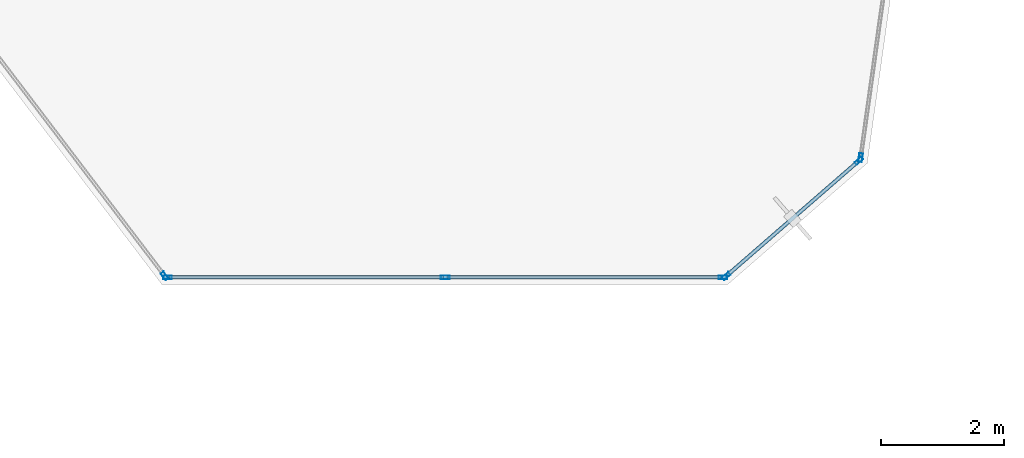
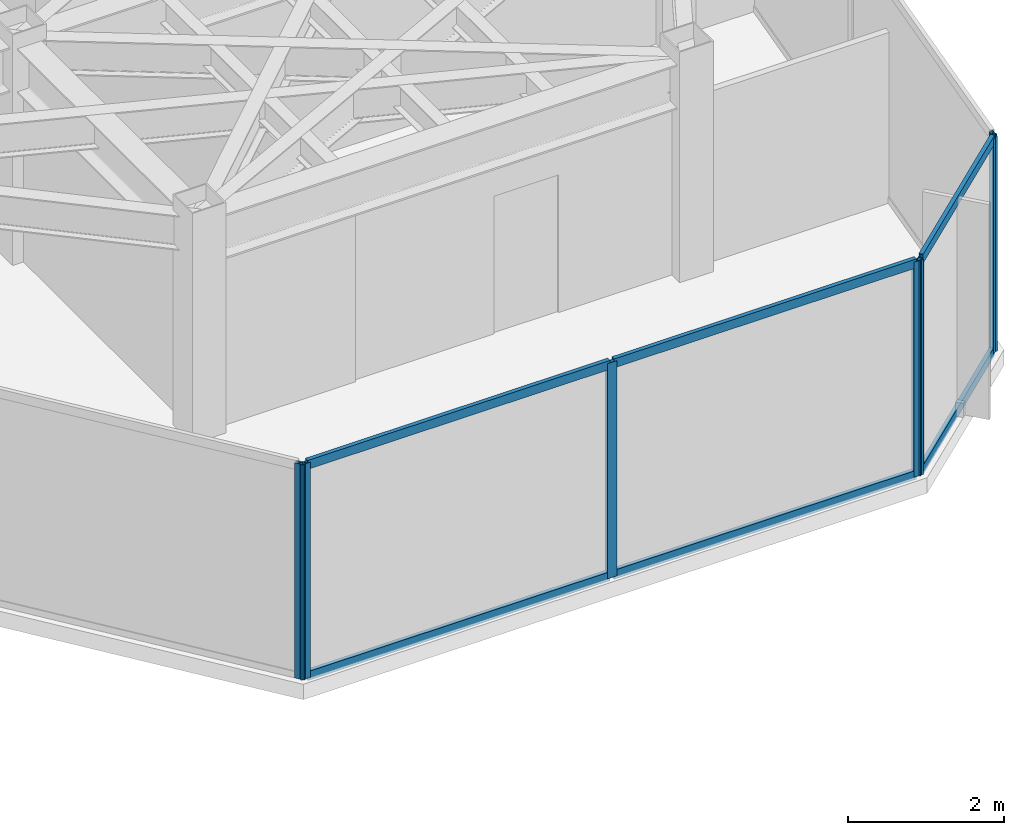
# One storey, part 9 of 21: 13 members, 4 elements without a shape of their own.
"""IFC4 building model written with IfcOpenShell, lengths in metres."""

from ifc_helpers import new_model, si_unit, direction, frame, origin, origin_2d, place, context, subcontext, project, spatial, hollow_rectangle, extrude, material, layer, layer_set, material_profile, profile_set, type_object, element, aggregate, save


model = new_model("IFC4")

# Units and contexts
model_context = context("Model", 3, precision=1e-05, world=origin(), true_north=direction((0.0, 1.0)))
body_context = subcontext(model_context, "Body", "Model", "MODEL_VIEW")
ifc_project = project(units=[si_unit("LENGTHUNIT", "METRE"), si_unit("AREAUNIT", "SQUARE_METRE"), si_unit("VOLUMEUNIT", "CUBIC_METRE"), si_unit("PLANEANGLEUNIT", "RADIAN"), si_unit("MASSUNIT", "GRAM", prefix="KILO")], contexts=[model_context])

# Site, building, storey
site_placement = place(None, origin())
site = spatial("IfcSite", under=ifc_project, at=site_placement, CompositionType="ELEMENT")
building_placement = place(site_placement, origin())
building = spatial("IfcBuilding", under=site, at=building_placement, Name="Kravanh Interchange Tower", CompositionType="ELEMENT")
storey_placement = place(building_placement, frame((0.0, 0.0, 231.0)))
storey = spatial("IfcBuildingStorey", under=building, at=storey_placement, Name="L55", CompositionType="ELEMENT", Elevation=231.0)

# Curtain wall, member
ifc_material_1 = material(Name="Anodised Bronze Aluminium", Category="aluminium")
ifc_layer = layer(ifc_material_1, 0.179931640625)
ifc_layer_set = layer_set([ifc_layer], Name="Unitised Curtain Wall System CW-HTL Luxury Hotel")
curtain_wall_type = type_object("IfcCurtainWallType", Name="Unitised Curtain Wall System CW-HTL Luxury Hotel", PredefinedType="NOTDEFINED", material=ifc_layer_set)
curtain_wall_1_placement = place(storey_placement, origin())
curtain_wall_1 = element("IfcCurtainWall", 1, at=curtain_wall_1_placement, inside=storey, type_object=curtain_wall_type, Name="L55 Unitised Curtain Wall CW-L55-01", PredefinedType="NOTDEFINED")
ifc_material_2 = material(Name="Anodised Bronze Aluminium", Category="aluminium")
ifc_material_profile_1 = material_profile(ifc_material_2, hollow_rectangle(XDim=0.06005859375, YDim=0.139892578125, WallThickness=0.00390625, at=origin_2d()), Name="ALU60X140X4")
ifc_profile_set_1 = profile_set([ifc_material_profile_1], Name="Anodised Bronze Aluminium")
member_type_1 = type_object("IfcMemberType", Name="Curtain Wall Mullion ALU60X140X4 Bronze", PredefinedType="MULLION", material=ifc_profile_set_1)
member_1_placement = place(storey_placement, frame((65.686767578125, 18.67138671875, 0.0), z_axis=(0.0, 0.0, 1.0), x_axis=(0.990267623707, -0.13917626751, 0.0)))
member_1 = element("IfcMember", 2, at=member_1_placement, type_object=member_type_1, Name="CW-HTL mullion 5", PredefinedType="MULLION", context=body_context, shape_type="SweptSolid", body=[
    extrude(hollow_rectangle(XDim=0.06005859375, YDim=0.139892578125, WallThickness=0.00390625, at=origin_2d()), origin(), (0.0, 0.0, 1.0), 3.360107421875),
])
aggregate(curtain_wall_1, [member_1])

# Curtain wall, members
curtain_wall_2_placement = place(storey_placement, origin())
curtain_wall_2 = element("IfcCurtainWall", 3, at=curtain_wall_2_placement, inside=storey, type_object=curtain_wall_type, Name="L55 Unitised Curtain Wall CW-L55-02", PredefinedType="NOTDEFINED")
member_2_placement = place(storey_placement, frame((65.659912109375, 18.621826171875, 0.0), z_axis=(0.0, 0.0, 1.0), x_axis=(0.656033323139, -0.75473192521, 0.0)))
member_2 = element("IfcMember", 4, at=member_2_placement, type_object=member_type_1, Name="CW-HTL mullion 1", PredefinedType="MULLION", context=body_context, shape_type="SweptSolid", body=[
    extrude(hollow_rectangle(XDim=0.06005859375, YDim=0.139892578125, WallThickness=0.00390625, at=origin_2d()), origin(), (0.0, 0.0, 1.0), 3.360107421875),
])
member_3_placement = place(storey_placement, frame((63.494384765625, 16.73974609375, 0.0), z_axis=(0.0, 0.0, 1.0), x_axis=(0.656033323139, -0.75473192521, 0.0)))
member_3 = element("IfcMember", 5, at=member_3_placement, type_object=member_type_1, Name="CW-HTL mullion 2", PredefinedType="MULLION", context=body_context, shape_type="SweptSolid", body=[
    extrude(hollow_rectangle(XDim=0.06005859375, YDim=0.139892578125, WallThickness=0.00390625, at=origin_2d()), origin(), (0.0, 0.0, 1.0), 3.360107421875),
])

curtain_wall_3_placement = place(storey_placement, origin())
curtain_wall_3 = element("IfcCurtainWall", 6, at=curtain_wall_3_placement, inside=storey, type_object=curtain_wall_type, Name="L55 Unitised Curtain Wall CW-L55-03", PredefinedType="NOTDEFINED")
member_4_placement = place(storey_placement, frame((63.44189453125, 16.719970703125, 0.0), z_axis=(0.0, 0.0, 1.0), x_axis=(0.0, -1.0, 0.0)))
member_4 = element("IfcMember", 7, at=member_4_placement, type_object=member_type_1, Name="CW-HTL mullion 1", PredefinedType="MULLION", context=body_context, shape_type="SweptSolid", body=[
    extrude(hollow_rectangle(XDim=0.06005859375, YDim=0.139892578125, WallThickness=0.00390625, at=origin_2d()), origin(), (0.0, 0.0, 1.0), 3.360107421875),
])
member_5_placement = place(storey_placement, frame((58.915771484375, 16.719970703125, 0.0), z_axis=(0.0, 0.0, 1.0), x_axis=(0.0, -1.0, 0.0)))
member_5 = element("IfcMember", 8, at=member_5_placement, type_object=member_type_1, Name="CW-HTL mullion 2", PredefinedType="MULLION", context=body_context, shape_type="SweptSolid", body=[
    extrude(hollow_rectangle(XDim=0.06005859375, YDim=0.139892578125, WallThickness=0.00390625, at=origin_2d()), origin(), (0.0, 0.0, 1.0), 3.360107421875),
])
member_6_placement = place(storey_placement, frame((54.389404296875, 16.719970703125, 0.0), z_axis=(0.0, 0.0, 1.0), x_axis=(0.0, -1.0, 0.0)))
member_6 = element("IfcMember", 9, at=member_6_placement, type_object=member_type_1, Name="CW-HTL mullion 3", PredefinedType="MULLION", context=body_context, shape_type="SweptSolid", body=[
    extrude(hollow_rectangle(XDim=0.06005859375, YDim=0.139892578125, WallThickness=0.00390625, at=origin_2d()), origin(), (0.0, 0.0, 1.0), 3.360107421875),
])

# Curtain wall, member
curtain_wall_4_placement = place(storey_placement, origin())
curtain_wall_4 = element("IfcCurtainWall", 10, at=curtain_wall_4_placement, inside=storey, type_object=curtain_wall_type, Name="L55 Unitised Curtain Wall CW-L55-04", PredefinedType="NOTDEFINED")
member_7_placement = place(storey_placement, frame((54.34130859375, 16.743896484375, 0.0), z_axis=(0.0, 0.0, 1.0), x_axis=(-0.79616243806, -0.605082946564, 0.0)))
member_7 = element("IfcMember", 11, at=member_7_placement, type_object=member_type_1, Name="CW-HTL mullion 1", PredefinedType="MULLION", context=body_context, shape_type="SweptSolid", body=[
    extrude(hollow_rectangle(XDim=0.06005859375, YDim=0.139892578125, WallThickness=0.00390625, at=origin_2d()), origin(), (0.0, 0.0, 1.0), 3.360107421875),
])
aggregate(curtain_wall_4, [member_7])

# Member
ifc_material_3 = material(Name="Anodised Bronze Aluminium", Category="aluminium")
ifc_material_profile_2 = material_profile(ifc_material_3, hollow_rectangle(XDim=0.06005859375, YDim=0.139892578125, WallThickness=0.00390625, at=origin_2d()), Name="ALU60X140X4")
ifc_profile_set_2 = profile_set([ifc_material_profile_2], Name="Anodised Bronze Aluminium")
member_type_2 = type_object("IfcMemberType", Name="Curtain Wall Transom ALU60X140X4 Bronze", PredefinedType="USERDEFINED", material=ifc_profile_set_2)
member_8_placement = place(storey_placement, frame((65.63720703125, 18.602294921875, 0.030029296875), z_axis=(-0.754704676026, -0.656064670581, 0.0), x_axis=(0.656064670581, -0.754704676026, 0.0)))
member_8 = element("IfcMember", 12, at=member_8_placement, type_object=member_type_2, Name="CW-HTL transom 1.1", ObjectType="TRANSOM", PredefinedType="USERDEFINED", context=body_context, shape_type="SweptSolid", body=[
    extrude(hollow_rectangle(XDim=0.06005859375, YDim=0.139892578125, WallThickness=0.00390625, at=origin_2d()), origin(), (0.0, 0.0, 1.0), 2.80908203125),
])

member_9_placement = place(storey_placement, frame((65.63720703125, 18.602294921875, 3.330078125), z_axis=(-0.754704676026, -0.656064670581, 0.0), x_axis=(0.656064670581, -0.754704676026, 0.0)))
member_9 = element("IfcMember", 13, at=member_9_placement, type_object=member_type_2, Name="CW-HTL transom 1.2", ObjectType="TRANSOM", PredefinedType="USERDEFINED", context=body_context, shape_type="SweptSolid", body=[
    extrude(hollow_rectangle(XDim=0.06005859375, YDim=0.139892578125, WallThickness=0.00390625, at=origin_2d()), origin(), (0.0, 0.0, 1.0), 2.80908203125),
])

aggregate(curtain_wall_2, [member_2, member_3, member_8, member_9])

member_10_placement = place(storey_placement, frame((63.411865234375, 16.719970703125, 0.030029296875), z_axis=(-1.0, 0.0, 0.0), x_axis=(0.0, -1.0, 0.0)))
member_10 = element("IfcMember", 14, at=member_10_placement, type_object=member_type_2, Name="CW-HTL transom 1.1", ObjectType="TRANSOM", PredefinedType="USERDEFINED", context=body_context, shape_type="SweptSolid", body=[
    extrude(hollow_rectangle(XDim=0.06005859375, YDim=0.139892578125, WallThickness=0.00390625, at=origin_2d()), origin(), (0.0, 0.0, 1.0), 4.46630859375),
])

member_11_placement = place(storey_placement, frame((63.411865234375, 16.719970703125, 3.330078125), z_axis=(-1.0, 0.0, 0.0), x_axis=(0.0, -1.0, 0.0)))
member_11 = element("IfcMember", 15, at=member_11_placement, type_object=member_type_2, Name="CW-HTL transom 1.2", ObjectType="TRANSOM", PredefinedType="USERDEFINED", context=body_context, shape_type="SweptSolid", body=[
    extrude(hollow_rectangle(XDim=0.06005859375, YDim=0.139892578125, WallThickness=0.00390625, at=origin_2d()), origin(), (0.0, 0.0, 1.0), 4.46630859375),
])

member_12_placement = place(storey_placement, frame((58.8857421875, 16.719970703125, 0.030029296875), z_axis=(-1.0, 0.0, 0.0), x_axis=(0.0, -1.0, 0.0)))
member_12 = element("IfcMember", 16, at=member_12_placement, type_object=member_type_2, Name="CW-HTL transom 2.1", ObjectType="TRANSOM", PredefinedType="USERDEFINED", context=body_context, shape_type="SweptSolid", body=[
    extrude(hollow_rectangle(XDim=0.06005859375, YDim=0.139892578125, WallThickness=0.00390625, at=origin_2d()), origin(), (0.0, 0.0, 1.0), 4.46630859375),
])

member_13_placement = place(storey_placement, frame((58.8857421875, 16.719970703125, 3.330078125), z_axis=(-1.0, 0.0, 0.0), x_axis=(0.0, -1.0, 0.0)))
member_13 = element("IfcMember", 17, at=member_13_placement, type_object=member_type_2, Name="CW-HTL transom 2.2", ObjectType="TRANSOM", PredefinedType="USERDEFINED", context=body_context, shape_type="SweptSolid", body=[
    extrude(hollow_rectangle(XDim=0.06005859375, YDim=0.139892578125, WallThickness=0.00390625, at=origin_2d()), origin(), (0.0, 0.0, 1.0), 4.46630859375),
])

aggregate(curtain_wall_3, [member_4, member_5, member_6, member_10, member_11, member_12, member_13])

save(model, "model.ifc")
